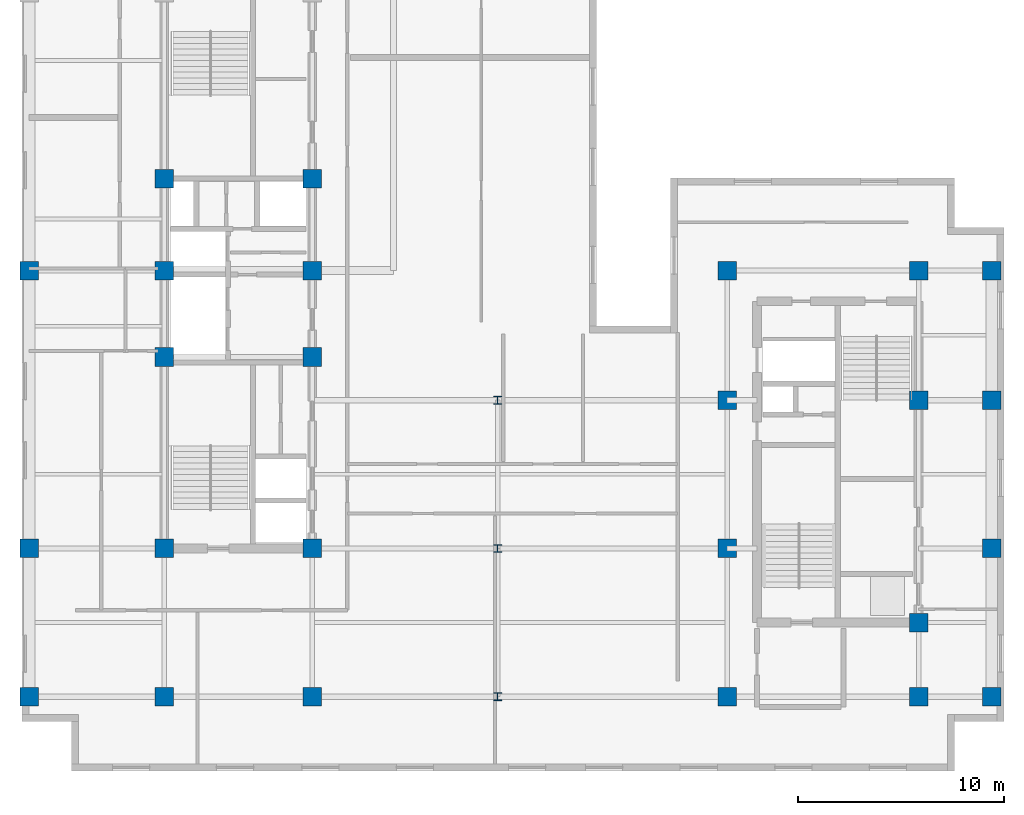
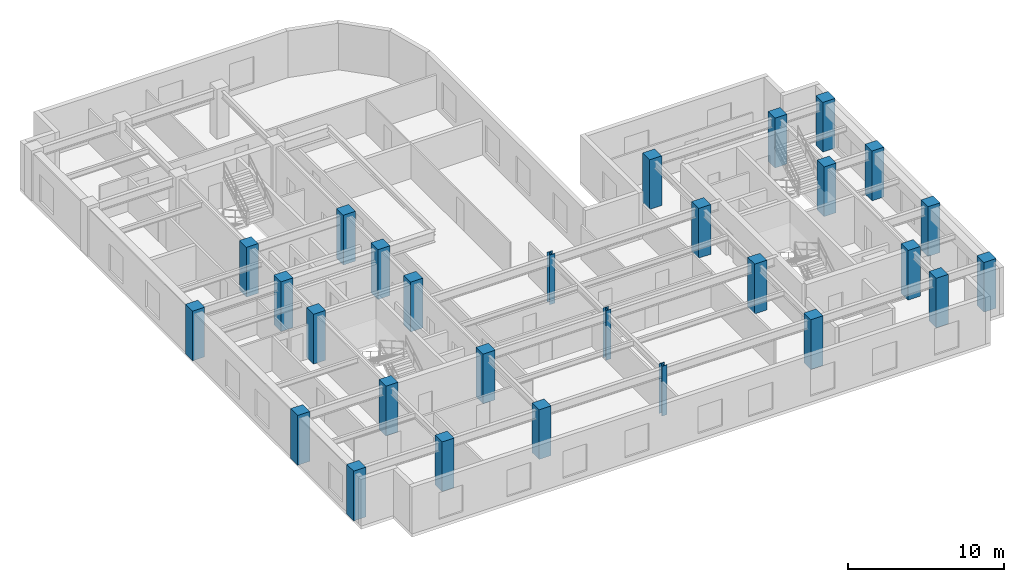
# One storey, part 1 of 11: 28 columns.
"""IFC4 building model written with IfcOpenShell, lengths in metres."""

from ifc_helpers import new_model, entity, si_unit, converted_unit, direction, frame, origin_with_axes, origin_2d_with_axis, place, context, subcontext, project, spatial, rectangle, i_section, extrude, material, material_profile, profile_set, type_object, element, save


model = new_model("IFC4")

# Units and contexts
model_context = context("Model", 3, precision=1e-05, world=origin_with_axes(), true_north=direction((0.0, 1.0)))
body_context = subcontext(model_context, "Body", "Model", "MODEL_VIEW")
ifc_project = project(units=[si_unit("LENGTHUNIT", "METRE"), si_unit("AREAUNIT", "SQUARE_METRE"), si_unit("VOLUMEUNIT", "CUBIC_METRE"), converted_unit("PLANEANGLEUNIT", "DEGREE", entity("IfcPlaneAngleMeasure", 0.017453292519943295), si_unit("PLANEANGLEUNIT", "RADIAN"), dimensions=[0, 0, 0, 0, 0, 0, 0]), si_unit("MASSUNIT", "GRAM", prefix="KILO"), si_unit("THERMODYNAMICTEMPERATUREUNIT", "KELVIN")], contexts=[model_context])

# Site, building, storey
site_placement = place(None, origin_with_axes())
site = spatial("IfcSite", under=ifc_project, at=site_placement, CompositionType="ELEMENT")
building_placement = place(site_placement, origin_with_axes())
building = spatial("IfcBuilding", under=site, at=building_placement, Name="Varnlund Millrace Tower", CompositionType="ELEMENT")
storey_placement = place(building_placement, frame((0.0, 0.0, 224.7), z_axis=(0.0, 0.0, 1.0), x_axis=(1.0, 0.0, 0.0)))
storey = spatial("IfcBuildingStorey", under=building, at=storey_placement, Name="L55", CompositionType="ELEMENT", Elevation=224.7)

# Columns
ifc_material_1 = material(Name="Steel ASTM A992 Grade 50", Category="steel")
ifc_material_profile_1 = material_profile(ifc_material_1, i_section(OverallWidth=0.394, OverallDepth=0.375, WebThickness=0.0173, FlangeThickness=0.0277, FilletRadius=0.02, at=origin_2d_with_axis()), Name="Steel ASTM A992 Grade 50")
ifc_profile_set_1 = profile_set([ifc_material_profile_1], Name="Steel ASTM A992 Grade 50")
column_type_1 = type_object("IfcColumnType", Name="Type-Col-Int-W14X145", PredefinedType="COLUMN", material=ifc_profile_set_1)
for number, where, z_axis, x_axis, name in (
    (1, (27.6, 3.6, 0.0), (0.0, 0.0, 1.0), (1.0, 0.0, 0.0), "Type-Col-Int-W14X145"),
    (2, (27.6, 10.8, 0.0), (0.0, 0.0, 1.0), (1.0, 0.0, 0.0), "Type-Col-Int-W14X145"),
    (3, (27.6, 18.0, 0.0), (0.0, 0.0, 1.0), (1.0, 0.0, 0.0), "Type-Col-Int-W14X145"),
):
    element("IfcColumn", number, at=place(storey_placement, frame(where, z_axis=z_axis, x_axis=x_axis)), inside=storey, type_object=column_type_1, Name=name, PredefinedType="COLUMN", context=body_context, shape_type="SweptSolid", body=[
        extrude(i_section(OverallWidth=0.394, OverallDepth=0.375, WebThickness=0.0173, FlangeThickness=0.0277, FilletRadius=0.02, at=origin_2d_with_axis()), origin_with_axes(), (0.0, 0.0, 1.0), 3.9),
    ])
ifc_material_2 = material(Name="Concrete C70/85", Category="concrete")
ifc_material_profile_2 = material_profile(ifc_material_2, rectangle(XDim=0.9, YDim=0.9, at=origin_2d_with_axis()), Name="Concrete C70/85")
ifc_profile_set_2 = profile_set([ifc_material_profile_2], Name="Concrete C70/85")
column_type_2 = type_object("IfcColumnType", Name="Type-Col-RC900-C70", PredefinedType="COLUMN", material=ifc_profile_set_2)
for number, where, z_axis, x_axis, name in (
    (4, (11.4, 3.6, 0.0), (0.0, 0.0, 1.0), (1.0, 0.0, 0.0), "Type-Col-RC900-C70"),
    (5, (11.4, 10.8, 0.0), (0.0, 0.0, 1.0), (1.0, 0.0, 0.0), "Type-Col-RC900-C70"),
    (6, (11.4, 20.1, 0.0), (0.0, 0.0, 1.0), (1.0, 0.0, 0.0), "Type-Col-RC900-C70"),
    (7, (11.4, 24.3, 0.0), (0.0, 0.0, 1.0), (1.0, 0.0, 0.0), "Type-Col-RC900-C70"),
    (8, (11.4, 28.75, 0.0), (0.0, 0.0, 1.0), (1.0, 0.0, 0.0), "Type-Col-RC900-C70"),
    (9, (18.6, 3.6, 0.0), (0.0, 0.0, 1.0), (1.0, 0.0, 0.0), "Type-Col-RC900-C70"),
    (10, (18.6, 10.8, 0.0), (0.0, 0.0, 1.0), (1.0, 0.0, 0.0), "Type-Col-RC900-C70"),
    (11, (18.6, 20.1, 0.0), (0.0, 0.0, 1.0), (1.0, 0.0, 0.0), "Type-Col-RC900-C70"),
    (12, (18.6, 24.3, 0.0), (0.0, 0.0, 1.0), (1.0, 0.0, 0.0), "Type-Col-RC900-C70"),
    (13, (18.6, 28.75, 0.0), (0.0, 0.0, 1.0), (1.0, 0.0, 0.0), "Type-Col-RC900-C70"),
    (14, (4.85, 3.6, 0.0), (0.0, 0.0, 1.0), (1.0, 0.0, 0.0), "Type-Col-RC900-C70"),
    (15, (4.85, 10.8, 0.0), (0.0, 0.0, 1.0), (1.0, 0.0, 0.0), "Type-Col-RC900-C70"),
    (16, (4.85, 24.3, 0.0), (0.0, 0.0, 1.0), (1.0, 0.0, 0.0), "Type-Col-RC900-C70"),
    (17, (38.75, 3.6, 0.0), (0.0, 0.0, 1.0), (1.0, 0.0, 0.0), "Type-Col-RC900-C70"),
    (18, (38.75, 10.8, 0.0), (0.0, 0.0, 1.0), (1.0, 0.0, 0.0), "Type-Col-RC900-C70"),
    (19, (38.75, 18.0, 0.0), (0.0, 0.0, 1.0), (1.0, 0.0, 0.0), "Type-Col-RC900-C70"),
    (20, (38.75, 24.3, 0.0), (0.0, 0.0, 1.0), (1.0, 0.0, 0.0), "Type-Col-RC900-C70"),
    (21, (48.05, 3.6, 0.0), (0.0, 0.0, 1.0), (1.0, 0.0, 0.0), "Type-Col-RC900-C70"),
    (22, (48.05, 7.2, 0.0), (0.0, 0.0, 1.0), (1.0, 0.0, 0.0), "Type-Col-RC900-C70"),
    (23, (48.05, 18.0, 0.0), (0.0, 0.0, 1.0), (1.0, 0.0, 0.0), "Type-Col-RC900-C70"),
    (24, (48.05, 24.3, 0.0), (0.0, 0.0, 1.0), (1.0, 0.0, 0.0), "Type-Col-RC900-C70"),
    (25, (51.6, 3.6, 0.0), (0.0, 0.0, 1.0), (1.0, 0.0, 0.0), "Type-Col-RC900-C70"),
    (26, (51.6, 10.8, 0.0), (0.0, 0.0, 1.0), (1.0, 0.0, 0.0), "Type-Col-RC900-C70"),
    (27, (51.6, 18.0, 0.0), (0.0, 0.0, 1.0), (1.0, 0.0, 0.0), "Type-Col-RC900-C70"),
    (28, (51.6, 24.3, 0.0), (0.0, 0.0, 1.0), (1.0, 0.0, 0.0), "Type-Col-RC900-C70"),
):
    element("IfcColumn", number, at=place(storey_placement, frame(where, z_axis=z_axis, x_axis=x_axis)), inside=storey, type_object=column_type_2, Name=name, PredefinedType="COLUMN", context=body_context, shape_type="SweptSolid", body=[
        extrude(rectangle(XDim=0.9, YDim=0.9, at=origin_2d_with_axis()), origin_with_axes(), (0.0, 0.0, 1.0), 3.9),
    ])

save(model, "model.ifc")
